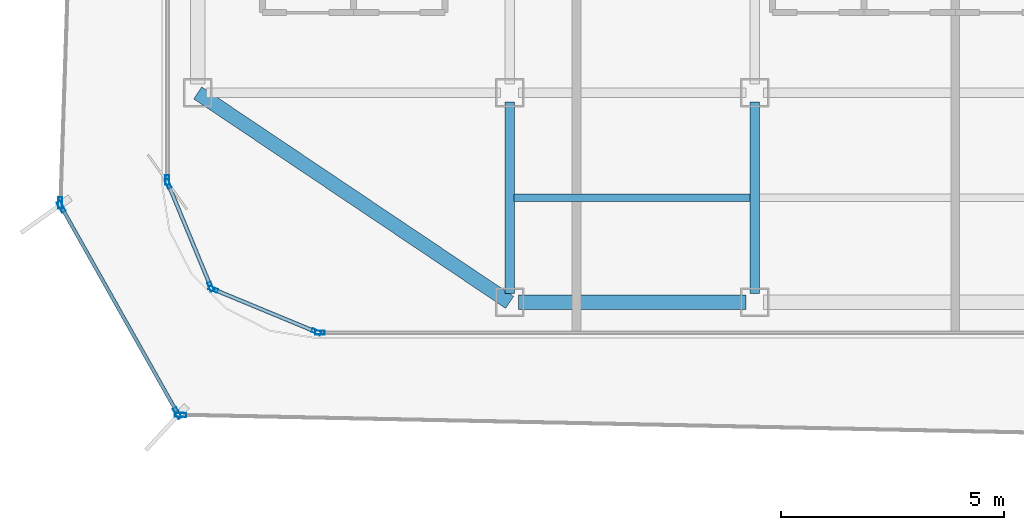
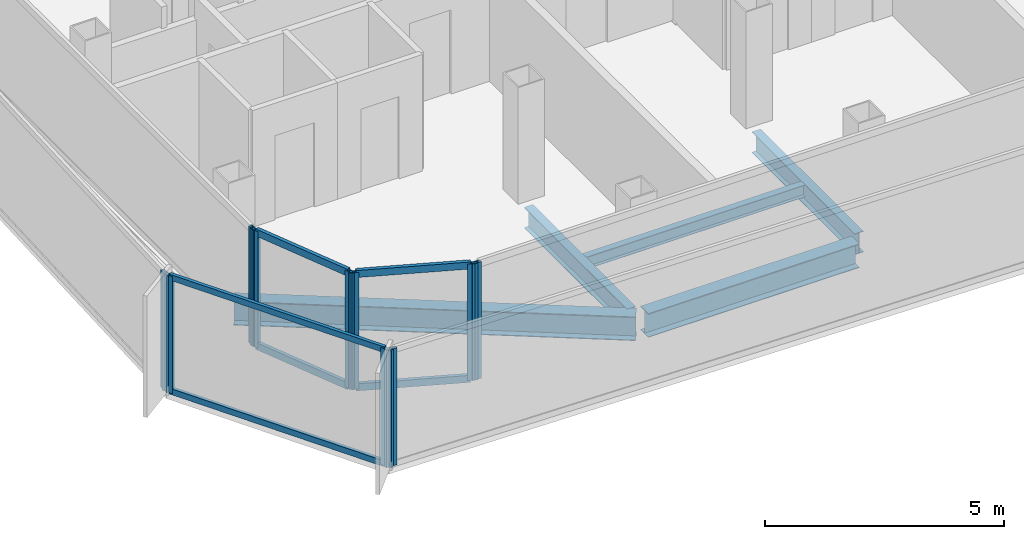
# One storey, part 2 of 16: 16 members, 5 beams, 7 elements without a shape of their own.
"""IFC4 building model written with IfcOpenShell, lengths in metres."""

from ifc_helpers import new_model, si_unit, direction, frame, origin, origin_2d, place, context, subcontext, project, spatial, hollow_rectangle, i_section, extrude, source, transform, mapped, material, layer, layer_set, material_profile, profile_set, type_object, element, aggregate, save


model = new_model("IFC4")

# Units and contexts
model_context = context("Model", 3, precision=1e-05, world=origin(), true_north=direction((0.0, 1.0)))
body_context = subcontext(model_context, "Body", "Model", "MODEL_VIEW")
ifc_project = project(units=[si_unit("LENGTHUNIT", "METRE"), si_unit("AREAUNIT", "SQUARE_METRE"), si_unit("VOLUMEUNIT", "CUBIC_METRE"), si_unit("PLANEANGLEUNIT", "RADIAN"), si_unit("MASSUNIT", "GRAM", prefix="KILO")], contexts=[model_context])

# Site, building, storey
site_placement = place(None, origin())
site = spatial("IfcSite", under=ifc_project, at=site_placement, CompositionType="ELEMENT")
building_placement = place(site_placement, origin())
building = spatial("IfcBuilding", under=site, at=building_placement, Name="Kolveth Station Tower", CompositionType="ELEMENT")
storey_placement = place(building_placement, frame((0.0, 0.0, 232.89990234375)))
storey = spatial("IfcBuildingStorey", under=building, at=storey_placement, Name="L66", CompositionType="ELEMENT", Elevation=232.89990234375)

# Beams
ifc_material_1 = material(Name="Steel S355", Category="steel")
ifc_material_profile_1 = material_profile(ifc_material_1, i_section(OverallWidth=0.323974609375, OverallDepth=0.611083984375, WebThickness=0.0126953125, FlangeThickness=0.01904296875, at=origin_2d()), Name="W610x155")
ifc_profile_set_1 = profile_set([ifc_material_profile_1], Name="Steel S355")
beam_type_1 = type_object("IfcBeamType", Name="Beam_SP2", PredefinedType="SPANDREL", material=ifc_profile_set_1)
shared_shape_1 = source(origin(), body_context, "Body", "SweptSolid", [
    extrude(i_section(OverallWidth=0.323974609375, OverallDepth=0.611083984375, WebThickness=0.0126953125, FlangeThickness=0.01904296875, at=origin_2d()), origin(), (0.0, 0.0, 1.0), 8.431396484375),
])
beam_1_placement = place(storey_placement, frame((6.0, 5.5, -0.525390625), z_axis=(0.830223811004, -0.557430196206, 0.0), x_axis=(0.557430196206, 0.830223811004, 0.0)))
element("IfcBeam", 1, at=beam_1_placement, inside=storey, type_object=beam_type_1, Name="L66 Corner Edge Girder BM-L66-CNR-SW", PredefinedType="SPANDREL", context=body_context, shape_type="MappedRepresentation", body=[
    mapped(shared_shape_1, transform((0.0, 0.0, 0.0), x_axis=(1.0, 0.0, 0.0), y_axis=(0.0, 1.0, 0.0), z_axis=(0.0, 0.0, 1.0), scale=1.0)),
])
shared_shape_2 = source(origin(), body_context, "Body", "SweptSolid", [
    extrude(i_section(OverallWidth=0.323974609375, OverallDepth=0.611083984375, WebThickness=0.0126953125, FlangeThickness=0.01904296875, at=origin_2d()), origin(), (0.0, 0.0, 1.0), 5.10009765625),
])
beam_2_placement = place(storey_placement, frame((13.199951171875, 0.800048828125, -0.525390625), z_axis=(1.0, 0.0, 0.0), x_axis=(0.0, 1.0, 0.0)))
element("IfcBeam", 2, at=beam_2_placement, inside=storey, type_object=beam_type_1, Name="L66 Perimeter Spandrel BM-L66-PS-1", PredefinedType="SPANDREL", context=body_context, shape_type="MappedRepresentation", body=[
    mapped(shared_shape_2, transform((0.0, 0.0, 0.0), x_axis=(1.0, 0.0, 0.0), y_axis=(0.0, 1.0, 0.0), z_axis=(0.0, 0.0, 1.0), scale=1.0)),
])
ifc_material_profile_2 = material_profile(ifc_material_1, i_section(OverallWidth=0.2099609375, OverallDepth=0.537109375, WebThickness=0.010986328125, FlangeThickness=0.017333984375, at=origin_2d()), Name="W530x101")
ifc_profile_set_2 = profile_set([ifc_material_profile_2], Name="Steel S355")
beam_type_2 = type_object("IfcBeamType", Name="Beam_B6", PredefinedType="BEAM", material=ifc_profile_set_2)
shared_shape_3 = source(origin(), body_context, "Body", "SweptSolid", [
    extrude(i_section(OverallWidth=0.2099609375, OverallDepth=0.537109375, WebThickness=0.010986328125, FlangeThickness=0.017333984375, at=origin_2d()), origin(), (0.0, 0.0, 1.0), 4.300048828125),
])
for number, where, z_axis, x_axis, name in (
    (3, (13.0, 1.0, -0.48828125), (0.0, 1.0, 0.0), (-1.0, 0.0, 0.0), "L66 Primary Girder BM-L66-GX130-1"),
    (4, (18.5, 1.0, -0.48828125), (0.0, 1.0, 0.0), (-1.0, 0.0, 0.0), "L66 Primary Girder BM-L66-GX185-1"),
):
    element("IfcBeam", number, at=place(storey_placement, frame(where, z_axis=z_axis, x_axis=x_axis)), inside=storey, type_object=beam_type_2, Name=name, PredefinedType="BEAM", context=body_context, shape_type="MappedRepresentation", body=[
        mapped(shared_shape_3, transform((0.0, 0.0, 0.0), x_axis=(1.0, 0.0, 0.0), y_axis=(0.0, 1.0, 0.0), z_axis=(0.0, 0.0, 1.0), scale=1.0)),
    ])
ifc_material_profile_3 = material_profile(ifc_material_1, i_section(OverallWidth=0.1650390625, OverallDepth=0.31005859375, WebThickness=0.005859375, FlangeThickness=0.009765625, at=origin_2d()), Name="W310x39")
ifc_profile_set_3 = profile_set([ifc_material_profile_3], Name="Steel S355")
beam_type_3 = type_object("IfcBeamType", Name="Beam_J3", PredefinedType="JOIST", material=ifc_profile_set_3)
shared_shape_4 = source(origin(), body_context, "Body", "SweptSolid", [
    extrude(i_section(OverallWidth=0.1650390625, OverallDepth=0.31005859375, WebThickness=0.005859375, FlangeThickness=0.009765625, at=origin_2d()), origin(), (0.0, 0.0, 1.0), 5.2939453125),
])
beam_3_placement = place(storey_placement, frame((13.10302734375, 3.14990234375, -0.375), z_axis=(1.0, 0.0, 0.0), x_axis=(0.0, 1.0, 0.0)))
element("IfcBeam", 5, at=beam_3_placement, inside=storey, type_object=beam_type_3, Name="L66 Secondary Joist JST-L66-2-1", PredefinedType="JOIST", context=body_context, shape_type="MappedRepresentation", body=[
    mapped(shared_shape_4, transform((0.0, 0.0, 0.0), x_axis=(1.0, 0.0, 0.0), y_axis=(0.0, 1.0, 0.0), z_axis=(0.0, 0.0, 1.0), scale=1.0)),
])

# Curtain wall, member
ifc_material_2 = material(Name="Black anodized aluminium 6063-T6 and dark solar glass", Category="aluminium")
ifc_layer_1 = layer(ifc_material_2, 0.159912109375)
ifc_layer_set_1 = layer_set([ifc_layer_1], Name="Black anodized aluminium 6063-T6 and dark solar glass")
curtain_wall_type_1 = type_object("IfcCurtainWallType", Name="OUTER SKIN CW-OS", PredefinedType="NOTDEFINED", material=ifc_layer_set_1)
curtain_wall_1_placement = place(storey_placement, origin())
curtain_wall_1 = element("IfcCurtainWall", 6, at=curtain_wall_1_placement, inside=storey, type_object=curtain_wall_type_1, Name="L66 Outer Ventilated Skin Curtain Wall 6", PredefinedType="NOTDEFINED")
ifc_material_3 = material(Name="Black anodized aluminium 6063-T6", Category="aluminium")
ifc_material_profile_4 = material_profile(ifc_material_3, hollow_rectangle(XDim=0.090087890625, YDim=0.260009765625, WallThickness=0.0048828125, at=origin_2d()), Name="ALU-90x260x5")
ifc_profile_set_4 = profile_set([ifc_material_profile_4], Name="Black anodized aluminium 6063-T6")
member_type_1 = type_object("IfcMemberType", Name="FIN MULLION ML-OS", PredefinedType="MULLION", material=ifc_profile_set_4)
shared_shape_5 = source(origin(), body_context, "Body", "SweptSolid", [
    extrude(hollow_rectangle(XDim=0.090087890625, YDim=0.260009765625, WallThickness=0.0048828125, at=origin_2d()), origin(), (0.0, 0.0, 1.0), 2.989990234375),
])
member_1_placement = place(storey_placement, frame((2.916015625, 3.03125, 0.0), z_axis=(0.0, 0.0, 1.0), x_axis=(0.999445341564, -0.033301790141, 0.0)))
member_1 = element("IfcMember", 7, at=member_1_placement, type_object=member_type_1, Name="CW-OS mullion 2", PredefinedType="MULLION", context=body_context, shape_type="MappedRepresentation", body=[
    mapped(shared_shape_5, transform((0.0, 0.0, 0.0), x_axis=(1.0, 0.0, 0.0), y_axis=(0.0, 1.0, 0.0), z_axis=(0.0, 0.0, 1.0), scale=1.0)),
])
aggregate(curtain_wall_1, [member_1])

# Curtain wall, members
curtain_wall_2_placement = place(storey_placement, origin())
curtain_wall_2 = element("IfcCurtainWall", 8, at=curtain_wall_2_placement, inside=storey, type_object=curtain_wall_type_1, Name="L66 Outer Ventilated Skin Curtain Wall 7", PredefinedType="NOTDEFINED")
member_2_placement = place(storey_placement, frame((2.9365234375, 2.947021484375, 0.0), z_axis=(0.0, 0.0, 1.0), x_axis=(0.871271130152, 0.490802014833, 0.0)))
member_2 = element("IfcMember", 9, at=member_2_placement, type_object=member_type_1, Name="CW-OS mullion 1", PredefinedType="MULLION", context=body_context, shape_type="MappedRepresentation", body=[
    mapped(shared_shape_5, transform((0.0, 0.0, 0.0), x_axis=(1.0, 0.0, 0.0), y_axis=(0.0, 1.0, 0.0), z_axis=(0.0, 0.0, 1.0), scale=1.0)),
])
member_3_placement = place(storey_placement, frame((5.54638671875, -1.685791015625, 0.0), z_axis=(0.0, 0.0, 1.0), x_axis=(0.871271130152, 0.490802014833, 0.0)))
member_3 = element("IfcMember", 10, at=member_3_placement, type_object=member_type_1, Name="CW-OS mullion 2", PredefinedType="MULLION", context=body_context, shape_type="MappedRepresentation", body=[
    mapped(shared_shape_5, transform((0.0, 0.0, 0.0), x_axis=(1.0, 0.0, 0.0), y_axis=(0.0, 1.0, 0.0), z_axis=(0.0, 0.0, 1.0), scale=1.0)),
])

# Curtain wall, member
curtain_wall_3_placement = place(storey_placement, origin())
curtain_wall_3 = element("IfcCurtainWall", 11, at=curtain_wall_3_placement, inside=storey, type_object=curtain_wall_type_1, Name="L66 Outer Ventilated Skin Curtain Wall 8", PredefinedType="NOTDEFINED")
member_4_placement = place(storey_placement, frame((5.61328125, -1.725830078125, 0.0), z_axis=(0.0, 0.0, 1.0), x_axis=(0.020908084612, 0.999781402106, 0.0)))
member_4 = element("IfcMember", 12, at=member_4_placement, type_object=member_type_1, Name="CW-OS mullion 1", PredefinedType="MULLION", context=body_context, shape_type="MappedRepresentation", body=[
    mapped(shared_shape_5, transform((0.0, 0.0, 0.0), x_axis=(1.0, 0.0, 0.0), y_axis=(0.0, 1.0, 0.0), z_axis=(0.0, 0.0, 1.0), scale=1.0)),
])
aggregate(curtain_wall_3, [member_4])

ifc_material_4 = material(Name="Aluminium 6063-T6 and triple low-E dark glass", Category="aluminium")
ifc_layer_2 = layer(ifc_material_4, 0.199951171875)
ifc_layer_set_2 = layer_set([ifc_layer_2], Name="Aluminium 6063-T6 and triple low-E dark glass")
curtain_wall_type_2 = type_object("IfcCurtainWallType", Name="CurtainWall_CW-Z3", PredefinedType="NOTDEFINED", material=ifc_layer_set_2)
curtain_wall_4_placement = place(storey_placement, origin())
curtain_wall_4 = element("IfcCurtainWall", 13, at=curtain_wall_4_placement, inside=storey, type_object=curtain_wall_type_2, Name="L66 Inner Thermal Curtain Wall 9", PredefinedType="NOTDEFINED")
ifc_material_profile_5 = material_profile(ifc_material_3, hollow_rectangle(XDim=0.0849609375, YDim=0.215087890625, WallThickness=0.0048828125, at=origin_2d()), Name="ALU-85x215x5")
ifc_profile_set_5 = profile_set([ifc_material_profile_5], Name="Black anodized aluminium 6063-T6")
member_type_2 = type_object("IfcMemberType", Name="Mullion_ML3", PredefinedType="MULLION", material=ifc_profile_set_5)
shared_shape_6 = source(origin(), body_context, "Body", "SweptSolid", [
    extrude(hollow_rectangle(XDim=0.0849609375, YDim=0.215087890625, WallThickness=0.0048828125, at=origin_2d()), origin(), (0.0, 0.0, 1.0), 2.97998046875),
])
member_5_placement = place(storey_placement, frame((5.320068359375, 3.54248046875, 0.0), z_axis=(0.0, 0.0, 1.0), x_axis=(1.0, 0.0, 0.0)))
member_5 = element("IfcMember", 14, at=member_5_placement, type_object=member_type_2, Name="CW-Z3 mullion 2", PredefinedType="MULLION", context=body_context, shape_type="MappedRepresentation", body=[
    mapped(shared_shape_6, transform((0.0, 0.0, 0.0), x_axis=(1.0, 0.0, 0.0), y_axis=(0.0, 1.0, 0.0), z_axis=(0.0, 0.0, 1.0), scale=1.0)),
])
aggregate(curtain_wall_4, [member_5])

# Curtain wall, members
curtain_wall_5_placement = place(storey_placement, origin())
curtain_wall_5 = element("IfcCurtainWall", 15, at=curtain_wall_5_placement, inside=storey, type_object=curtain_wall_type_2, Name="L66 Inner Thermal Curtain Wall 10", PredefinedType="NOTDEFINED")
member_6_placement = place(storey_placement, frame((5.336181640625, 3.460693359375, 0.0), z_axis=(0.0, 0.0, 1.0), x_axis=(0.923875488975, 0.382693194181, 0.0)))
member_6 = element("IfcMember", 16, at=member_6_placement, type_object=member_type_2, Name="CW-Z3 mullion 1", PredefinedType="MULLION", context=body_context, shape_type="MappedRepresentation", body=[
    mapped(shared_shape_6, transform((0.0, 0.0, 0.0), x_axis=(1.0, 0.0, 0.0), y_axis=(0.0, 1.0, 0.0), z_axis=(0.0, 0.0, 1.0), scale=1.0)),
])
member_7_placement = place(storey_placement, frame((6.293701171875, 1.149169921875, 0.0), z_axis=(0.0, 0.0, 1.0), x_axis=(0.923875488975, 0.382693194181, 0.0)))
member_7 = element("IfcMember", 17, at=member_7_placement, type_object=member_type_2, Name="CW-Z3 mullion 2", PredefinedType="MULLION", context=body_context, shape_type="MappedRepresentation", body=[
    mapped(shared_shape_6, transform((0.0, 0.0, 0.0), x_axis=(1.0, 0.0, 0.0), y_axis=(0.0, 1.0, 0.0), z_axis=(0.0, 0.0, 1.0), scale=1.0)),
])

curtain_wall_6_placement = place(storey_placement, origin())
curtain_wall_6 = element("IfcCurtainWall", 18, at=curtain_wall_6_placement, inside=storey, type_object=curtain_wall_type_2, Name="L66 Inner Thermal Curtain Wall 11", PredefinedType="NOTDEFINED")
member_8_placement = place(storey_placement, frame((6.349365234375, 1.09375, 0.0), z_axis=(0.0, 0.0, 1.0), x_axis=(0.382693194181, 0.923875488975, 0.0)))
member_8 = element("IfcMember", 19, at=member_8_placement, type_object=member_type_2, Name="CW-Z3 mullion 1", PredefinedType="MULLION", context=body_context, shape_type="MappedRepresentation", body=[
    mapped(shared_shape_6, transform((0.0, 0.0, 0.0), x_axis=(1.0, 0.0, 0.0), y_axis=(0.0, 1.0, 0.0), z_axis=(0.0, 0.0, 1.0), scale=1.0)),
])
member_9_placement = place(storey_placement, frame((8.66064453125, 0.13623046875, 0.0), z_axis=(0.0, 0.0, 1.0), x_axis=(0.382693194181, 0.923875488975, 0.0)))
member_9 = element("IfcMember", 20, at=member_9_placement, type_object=member_type_2, Name="CW-Z3 mullion 2", PredefinedType="MULLION", context=body_context, shape_type="MappedRepresentation", body=[
    mapped(shared_shape_6, transform((0.0, 0.0, 0.0), x_axis=(1.0, 0.0, 0.0), y_axis=(0.0, 1.0, 0.0), z_axis=(0.0, 0.0, 1.0), scale=1.0)),
])

# Curtain wall, member
curtain_wall_7_placement = place(storey_placement, origin())
curtain_wall_7 = element("IfcCurtainWall", 21, at=curtain_wall_7_placement, inside=storey, type_object=curtain_wall_type_2, Name="L66 Inner Thermal Curtain Wall 12", PredefinedType="NOTDEFINED")
member_10_placement = place(storey_placement, frame((8.742431640625, 0.1201171875, 0.0), z_axis=(0.0, 0.0, 1.0), x_axis=(0.0, 1.0, 0.0)))
member_10 = element("IfcMember", 22, at=member_10_placement, type_object=member_type_2, Name="CW-Z3 mullion 1", PredefinedType="MULLION", context=body_context, shape_type="MappedRepresentation", body=[
    mapped(shared_shape_6, transform((0.0, 0.0, 0.0), x_axis=(1.0, 0.0, 0.0), y_axis=(0.0, 1.0, 0.0), z_axis=(0.0, 0.0, 1.0), scale=1.0)),
])
aggregate(curtain_wall_7, [member_10])

# Member
ifc_material_profile_6 = material_profile(ifc_material_3, hollow_rectangle(XDim=0.0849609375, YDim=0.179931640625, WallThickness=0.0048828125, at=origin_2d()), Name="ALU-85x180x5")
ifc_profile_set_6 = profile_set([ifc_material_profile_6], Name="Black anodized aluminium 6063-T6")
member_type_3 = type_object("IfcMemberType", Name="Transom_TR3", PredefinedType="USERDEFINED", material=ifc_profile_set_6)
shared_shape_7 = source(origin(), body_context, "Body", "SweptSolid", [
    extrude(hollow_rectangle(XDim=0.0849609375, YDim=0.179931640625, WallThickness=0.0048828125, at=origin_2d()), origin(), (0.0, 0.0, 1.0), 2.4169921875),
])
member_11_placement = place(storey_placement, frame((5.3525390625, 3.42138671875, 0.04248046875), z_axis=(0.382735401206, -0.9238580046, 0.0), x_axis=(0.9238580046, 0.382735401206, 0.0)))
member_11 = element("IfcMember", 23, at=member_11_placement, type_object=member_type_3, Name="CW-Z3 transom 1.1", ObjectType="TRANSOM", PredefinedType="USERDEFINED", context=body_context, shape_type="MappedRepresentation", body=[
    mapped(shared_shape_7, transform((0.0, 0.0, 0.0), x_axis=(1.0, 0.0, 0.0), y_axis=(0.0, 1.0, 0.0), z_axis=(0.0, 0.0, 1.0), scale=1.0)),
])

member_12_placement = place(storey_placement, frame((5.3525390625, 3.42138671875, 2.9375), z_axis=(0.382735401206, -0.9238580046, 0.0), x_axis=(0.9238580046, 0.382735401206, 0.0)))
member_12 = element("IfcMember", 24, at=member_12_placement, type_object=member_type_3, Name="CW-Z3 transom 1.2", ObjectType="TRANSOM", PredefinedType="USERDEFINED", context=body_context, shape_type="MappedRepresentation", body=[
    mapped(shared_shape_7, transform((0.0, 0.0, 0.0), x_axis=(1.0, 0.0, 0.0), y_axis=(0.0, 1.0, 0.0), z_axis=(0.0, 0.0, 1.0), scale=1.0)),
])

aggregate(curtain_wall_5, [member_6, member_7, member_11, member_12])

member_13_placement = place(storey_placement, frame((6.388427734375, 1.077392578125, 0.04248046875), z_axis=(0.923908507952, -0.382613471971, 0.0), x_axis=(0.382613471971, 0.923908507952, 0.0)))
member_13 = element("IfcMember", 25, at=member_13_placement, type_object=member_type_3, Name="CW-Z3 transom 1.1", ObjectType="TRANSOM", PredefinedType="USERDEFINED", context=body_context, shape_type="MappedRepresentation", body=[
    mapped(shared_shape_7, transform((0.0, 0.0, 0.0), x_axis=(1.0, 0.0, 0.0), y_axis=(0.0, 1.0, 0.0), z_axis=(0.0, 0.0, 1.0), scale=1.0)),
])

member_14_placement = place(storey_placement, frame((6.388427734375, 1.077392578125, 2.9375), z_axis=(0.923908507952, -0.382613471971, 0.0), x_axis=(0.382613471971, 0.923908507952, 0.0)))
member_14 = element("IfcMember", 26, at=member_14_placement, type_object=member_type_3, Name="CW-Z3 transom 1.2", ObjectType="TRANSOM", PredefinedType="USERDEFINED", context=body_context, shape_type="MappedRepresentation", body=[
    mapped(shared_shape_7, transform((0.0, 0.0, 0.0), x_axis=(1.0, 0.0, 0.0), y_axis=(0.0, 1.0, 0.0), z_axis=(0.0, 0.0, 1.0), scale=1.0)),
])

aggregate(curtain_wall_6, [member_8, member_9, member_13, member_14])

ifc_material_profile_7 = material_profile(ifc_material_3, hollow_rectangle(XDim=0.080078125, YDim=0.14990234375, WallThickness=0.0048828125, at=origin_2d()), Name="ALU-80x150x5")
ifc_profile_set_7 = profile_set([ifc_material_profile_7], Name="Black anodized aluminium 6063-T6")
member_type_4 = type_object("IfcMemberType", Name="Transom_TR-OS", PredefinedType="USERDEFINED", material=ifc_profile_set_7)
shared_shape_8 = source(origin(), body_context, "Body", "SweptSolid", [
    extrude(hollow_rectangle(XDim=0.080078125, YDim=0.14990234375, WallThickness=0.0048828125, at=origin_2d()), origin(), (0.0, 0.0, 1.0), 5.227294921875),
])
member_15_placement = place(storey_placement, frame((2.958740234375, 2.907958984375, 0.0400390625), z_axis=(0.490777820662, -0.871284758702, 0.0), x_axis=(0.871284758702, 0.490777820662, 0.0)))
member_15 = element("IfcMember", 27, at=member_15_placement, type_object=member_type_4, Name="CW-OS transom 1.1", ObjectType="TRANSOM", PredefinedType="USERDEFINED", context=body_context, shape_type="MappedRepresentation", body=[
    mapped(shared_shape_8, transform((0.0, 0.0, 0.0), x_axis=(1.0, 0.0, 0.0), y_axis=(0.0, 1.0, 0.0), z_axis=(0.0, 0.0, 1.0), scale=1.0)),
])

member_16_placement = place(storey_placement, frame((2.958740234375, 2.907958984375, 2.9501953125), z_axis=(0.490777820662, -0.871284758702, 0.0), x_axis=(0.871284758702, 0.490777820662, 0.0)))
member_16 = element("IfcMember", 28, at=member_16_placement, type_object=member_type_4, Name="CW-OS transom 1.2", ObjectType="TRANSOM", PredefinedType="USERDEFINED", context=body_context, shape_type="MappedRepresentation", body=[
    mapped(shared_shape_8, transform((0.0, 0.0, 0.0), x_axis=(1.0, 0.0, 0.0), y_axis=(0.0, 1.0, 0.0), z_axis=(0.0, 0.0, 1.0), scale=1.0)),
])

aggregate(curtain_wall_2, [member_2, member_3, member_15, member_16])

save(model, "model.ifc")
